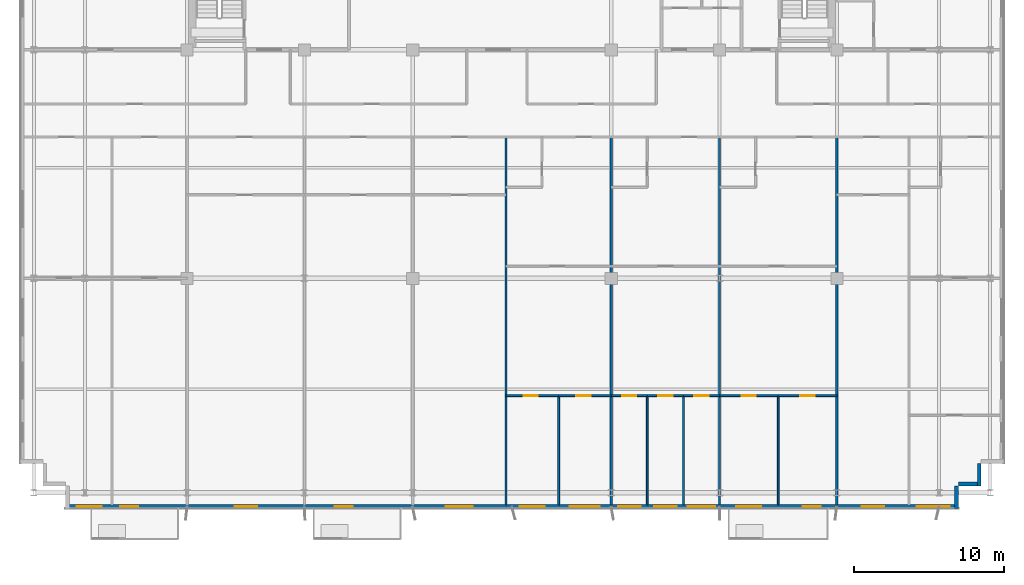
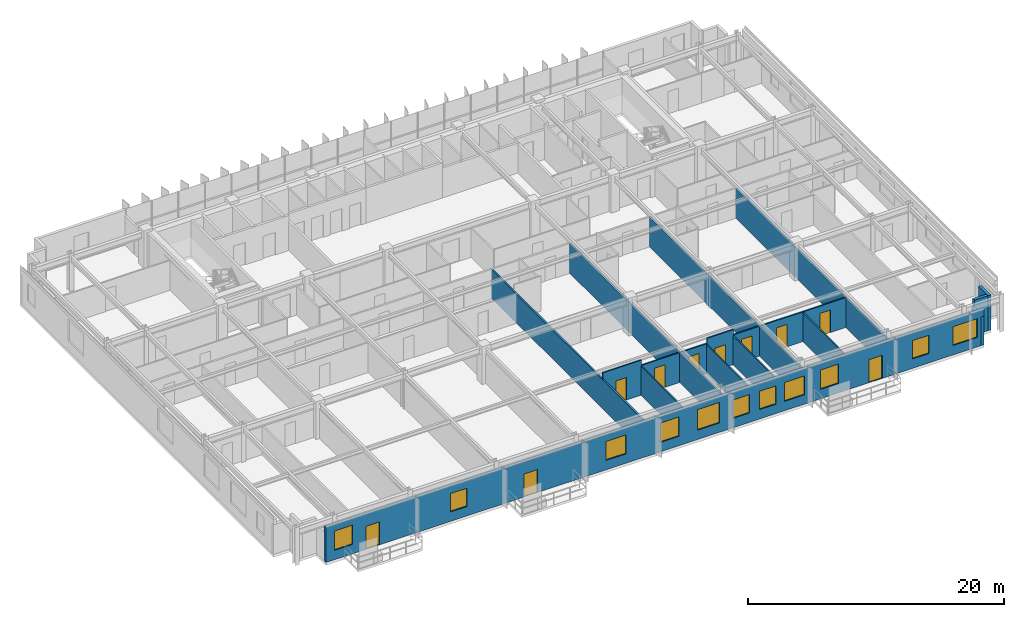
# One storey, part 15 of 22: 19 walls, 11 windows, 10 doors, 21 openings.
"""IFC4 building model written with IfcOpenShell, lengths in metres."""

from ifc_helpers import new_model, si_unit, direction, frame, frame_2d, origin, place, context, subcontext, project, spatial, rectangle, extrude, source, transform, mapped, material, layer, layer_set, type_object, element, fill, save


model = new_model("IFC4")

# Units and contexts
model_context = context("Model", 3, precision=1e-05, world=origin(), true_north=direction((0.0, 1.0)))
body_context = subcontext(model_context, "Body", "Model", "MODEL_VIEW")
ifc_project = project(units=[si_unit("LENGTHUNIT", "METRE"), si_unit("AREAUNIT", "SQUARE_METRE"), si_unit("VOLUMEUNIT", "CUBIC_METRE"), si_unit("PLANEANGLEUNIT", "RADIAN"), si_unit("MASSUNIT", "GRAM", prefix="KILO")], contexts=[model_context])

# Site, building, storey
site_placement = place(None, origin())
site = spatial("IfcSite", under=ifc_project, at=site_placement, CompositionType="ELEMENT")
building_placement = place(site_placement, origin())
building = spatial("IfcBuilding", under=site, at=building_placement, Name="Trelvane Seafront Commons", CompositionType="ELEMENT")
storey_placement = place(building_placement, frame((0.0, 0.0, 85.300048828125)))
storey = spatial("IfcBuildingStorey", under=building, at=storey_placement, Name="L21", CompositionType="ELEMENT", Elevation=85.300048828125)

# Walls
ifc_material_1 = material(Name="Precast concrete C40/50", Category="concrete")
ifc_layer_1 = layer(ifc_material_1, 0.260009765625, Name="ARCH-WALL-EXT260")
ifc_layer_set_1 = layer_set([ifc_layer_1], Name="Precast concrete C40/50")
wall_type_1 = type_object("IfcWallType", Name="ARCH-WALL-EXT260", PredefinedType="SOLIDWALL", material=ifc_layer_set_1)
for number, where, z_axis, x_axis, name in (
    (1, (68.27001953125, 5.89990234375, 0.0), (0.0, 0.0, 1.0), (0.0, -1.0, 0.0), "EW-L21-00386"),
    (2, (68.39990234375, 4.530029296875, 0.0), (0.0, 0.0, 1.0), (-1.0, 0.0, 0.0), "EW-L21-00387"),
):
    element("IfcWall", number, at=place(storey_placement, frame(where, z_axis=z_axis, x_axis=x_axis)), inside=storey, type_object=wall_type_1, Name=name, PredefinedType="SOLIDWALL", context=body_context, shape_type="SweptSolid", body=[
        extrude(rectangle(XDim=1.5, YDim=0.260009765625, at=frame_2d((0.75, 0.0))), origin(), (0.0, 0.0, 1.0), 3.33984375),
    ])
wall_1_placement = place(storey_placement, frame((66.77001953125, 4.39990234375, 0.0), z_axis=(0.0, 0.0, 1.0), x_axis=(0.0, -1.0, 0.0)))
element("IfcWall", 3, at=wall_1_placement, inside=storey, type_object=wall_type_1, Name="EW-L21-00388", PredefinedType="SOLIDWALL", context=body_context, shape_type="SweptSolid", body=[
    extrude(rectangle(XDim=1.5, YDim=0.260009765625, at=frame_2d((0.75, 0.0))), origin(), (0.0, 0.0, 1.0), 2.751953125),
])

# Wall, openings, doors, windows
wall_2_placement = place(storey_placement, frame((66.89990234375, 3.030029296875, 0.0), z_axis=(0.0, 0.0, 1.0), x_axis=(-1.0, 0.0, 0.0)))
wall_2 = element("IfcWall", 4, at=wall_2_placement, inside=storey, type_object=wall_type_1, Name="EW-L21-00389", PredefinedType="SOLIDWALL", context=body_context, shape_type="SweptSolid", body=[
    extrude(rectangle(XDim=59.39990234375, YDim=0.260009765625, at=frame_2d((29.699951171875, 0.0))), origin(), (0.0, 0.0, 1.0), 3.33984375),
])
opening_1_placement = place(wall_2_placement, frame((0.594970703125, 0.0, 0.89990234375)))
opening_1 = element("IfcOpeningElement", 5, at=opening_1_placement, cuts=wall_2, Name="Opening W02", PredefinedType="OPENING", context=body_context, shape_type="SweptSolid", body=[
    extrude(rectangle(XDim=2.199951171875, YDim=1.800048828125, at=frame_2d((1.10009765625, 0.89990234375))), frame((0.0, 0.139892578125, 0.0), z_axis=(0.0, -1.0, 0.0), x_axis=(1.0, 0.0, 0.0)), (0.0, 0.0, 1.0), 0.280029296875),
])
opening_2_placement = place(wall_2_placement, frame((4.949951171875, 0.0, 0.89990234375)))
opening_2 = element("IfcOpeningElement", 6, at=opening_2_placement, cuts=wall_2, Name="Opening W03", PredefinedType="OPENING", context=body_context, shape_type="SweptSolid", body=[
    extrude(rectangle(XDim=1.5, YDim=1.75, at=frame_2d((0.75, 0.875))), frame((0.0, 0.139892578125, 0.0), z_axis=(0.0, -1.0, 0.0), x_axis=(1.0, 0.0, 0.0)), (0.0, 0.0, 1.0), 0.280029296875),
])
opening_3_placement = place(wall_2_placement, frame((9.179931640625, 0.0, 0.0)))
opening_3 = element("IfcOpeningElement", 7, at=opening_3_placement, cuts=wall_2, Name="Opening BD-L21-49", PredefinedType="OPENING", context=body_context, shape_type="SweptSolid", body=[
    extrude(rectangle(XDim=1.199951171875, YDim=2.199951171875, at=frame_2d((0.60009765625, 1.10009765625))), frame((0.0, 0.139892578125, 0.0), z_axis=(0.0, -1.0, 0.0), x_axis=(1.0, 0.0, 0.0)), (0.0, 0.0, 1.0), 0.280029296875),
])
opening_4_placement = place(wall_2_placement, frame((13.125, 0.0, 0.89990234375)))
opening_4 = element("IfcOpeningElement", 8, at=opening_4_placement, cuts=wall_2, Name="Opening W07", PredefinedType="OPENING", context=body_context, shape_type="SweptSolid", body=[
    extrude(rectangle(XDim=1.64990234375, YDim=1.85009765625, at=frame_2d((0.824951171875, 0.925048828125))), frame((0.0, 0.139892578125, 0.0), z_axis=(0.0, -1.0, 0.0), x_axis=(1.0, 0.0, 0.0)), (0.0, 0.0, 1.0), 0.280029296875),
])
opening_5_placement = place(wall_2_placement, frame((16.199951171875, 0.0, 0.89990234375)))
opening_5 = element("IfcOpeningElement", 9, at=opening_5_placement, cuts=wall_2, Name="Opening W01", PredefinedType="OPENING", context=body_context, shape_type="SweptSolid", body=[
    extrude(rectangle(XDim=1.800048828125, YDim=1.800048828125, at=frame_2d((0.89990234375, 0.89990234375))), frame((0.0, 0.139892578125, 0.0), z_axis=(0.0, -1.0, 0.0), x_axis=(1.0, 0.0, 0.0)), (0.0, 0.0, 1.0), 0.280029296875),
])
opening_6_placement = place(wall_2_placement, frame((18.75, 0.0, 0.89990234375)))
opening_6 = element("IfcOpeningElement", 10, at=opening_6_placement, cuts=wall_2, Name="Opening W03", PredefinedType="OPENING", context=body_context, shape_type="SweptSolid", body=[
    extrude(rectangle(XDim=1.5, YDim=1.75, at=frame_2d((0.75, 0.875))), frame((0.0, 0.139892578125, 0.0), z_axis=(0.0, -1.0, 0.0), x_axis=(1.0, 0.0, 0.0)), (0.0, 0.0, 1.0), 0.280029296875),
])
opening_7_placement = place(wall_2_placement, frame((21.14990234375, 0.0, 0.89990234375)))
opening_7 = element("IfcOpeningElement", 11, at=opening_7_placement, cuts=wall_2, Name="Opening W03", PredefinedType="OPENING", context=body_context, shape_type="SweptSolid", body=[
    extrude(rectangle(XDim=1.5, YDim=1.75, at=frame_2d((0.75, 0.875))), frame((0.0, 0.139892578125, 0.0), z_axis=(0.0, -1.0, 0.0), x_axis=(1.0, 0.0, 0.0)), (0.0, 0.0, 1.0), 0.280029296875),
])
opening_8_placement = place(wall_2_placement, frame((23.85009765625, 0.0, 0.89990234375)))
opening_8 = element("IfcOpeningElement", 12, at=opening_8_placement, cuts=wall_2, Name="Opening W06", PredefinedType="OPENING", context=body_context, shape_type="SweptSolid", body=[
    extrude(rectangle(XDim=2.0, YDim=1.949951171875, at=frame_2d((1.0, 0.97509765625))), frame((0.0, 0.139892578125, 0.0), z_axis=(0.0, -1.0, 0.0), x_axis=(1.0, 0.0, 0.0)), (0.0, 0.0, 1.0), 0.280029296875),
])
opening_9_placement = place(wall_2_placement, frame((27.52490234375, 0.0, 0.89990234375)))
opening_9 = element("IfcOpeningElement", 13, at=opening_9_placement, cuts=wall_2, Name="Opening W07", PredefinedType="OPENING", context=body_context, shape_type="SweptSolid", body=[
    extrude(rectangle(XDim=1.64990234375, YDim=1.85009765625, at=frame_2d((0.824951171875, 0.925048828125))), frame((0.0, 0.139892578125, 0.0), z_axis=(0.0, -1.0, 0.0), x_axis=(1.0, 0.0, 0.0)), (0.0, 0.0, 1.0), 0.280029296875),
])
opening_10_placement = place(wall_2_placement, frame((32.300048828125, 0.0, 0.89990234375)))
opening_10 = element("IfcOpeningElement", 14, at=opening_10_placement, cuts=wall_2, Name="Opening W01", PredefinedType="OPENING", context=body_context, shape_type="SweptSolid", body=[
    extrude(rectangle(XDim=1.800048828125, YDim=1.800048828125, at=frame_2d((0.89990234375, 0.89990234375))), frame((0.0, 0.139892578125, 0.0), z_axis=(0.0, -1.0, 0.0), x_axis=(1.0, 0.0, 0.0)), (0.0, 0.0, 1.0), 0.280029296875),
])
opening_11_placement = place(wall_2_placement, frame((40.301025390625, 0.0, 0.0)))
opening_11 = element("IfcOpeningElement", 15, at=opening_11_placement, cuts=wall_2, Name="Opening BD-L21-50", PredefinedType="OPENING", context=body_context, shape_type="SweptSolid", body=[
    extrude(rectangle(XDim=1.199951171875, YDim=2.199951171875, at=frame_2d((0.60009765625, 1.10009765625))), frame((0.0, 0.139892578125, 0.0), z_axis=(0.0, -1.0, 0.0), x_axis=(1.0, 0.0, 0.0)), (0.0, 0.0, 1.0), 0.280029296875),
])
opening_12_placement = place(wall_2_placement, frame((46.64990234375, 0.0, 0.89990234375)))
opening_12 = element("IfcOpeningElement", 16, at=opening_12_placement, cuts=wall_2, Name="Opening W03", PredefinedType="OPENING", context=body_context, shape_type="SweptSolid", body=[
    extrude(rectangle(XDim=1.5, YDim=1.75, at=frame_2d((0.75, 0.875))), frame((0.0, 0.139892578125, 0.0), z_axis=(0.0, -1.0, 0.0), x_axis=(1.0, 0.0, 0.0)), (0.0, 0.0, 1.0), 0.280029296875),
])
opening_13_placement = place(wall_2_placement, frame((54.55810546875, 0.0, 0.0)))
opening_13 = element("IfcOpeningElement", 17, at=opening_13_placement, cuts=wall_2, Name="Opening BD-L21-51", PredefinedType="OPENING", context=body_context, shape_type="SweptSolid", body=[
    extrude(rectangle(XDim=1.199951171875, YDim=2.199951171875, at=frame_2d((0.60009765625, 1.10009765625))), frame((0.0, 0.139892578125, 0.0), z_axis=(0.0, -1.0, 0.0), x_axis=(1.0, 0.0, 0.0)), (0.0, 0.0, 1.0), 0.280029296875),
])
opening_14_placement = place(wall_2_placement, frame((56.97998046875, 0.0, 0.89990234375)))
opening_14 = element("IfcOpeningElement", 18, at=opening_14_placement, cuts=wall_2, Name="Opening W07", PredefinedType="OPENING", context=body_context, shape_type="SweptSolid", body=[
    extrude(rectangle(XDim=1.64990234375, YDim=1.85009765625, at=frame_2d((0.824951171875, 0.925048828125))), frame((0.0, 0.139892578125, 0.0), z_axis=(0.0, -1.0, 0.0), x_axis=(1.0, 0.0, 0.0)), (0.0, 0.0, 1.0), 0.280029296875),
])
ifc_material_2 = material(Name="Powder-coated aluminium frame", Category="aluminium")
door_type_1 = type_object("IfcDoorType", Name="ARCH-DR-BAL1200", OperationType="NOTDEFINED", PredefinedType="DOOR", material=ifc_material_2)
shared_shape_1 = source(origin(), body_context, "Body", "SweptSolid", [
    extrude(rectangle(XDim=1.199951171875, YDim=2.199951171875, at=frame_2d((0.60009765625, 1.10009765625))), frame((0.0, 0.02490234375, 0.0), z_axis=(0.0, -1.0, 0.0), x_axis=(1.0, 0.0, 0.0)), (0.0, 0.0, 1.0), 0.050048828125),
])
door_1_placement = place(opening_3_placement, origin())
door_1 = element("IfcDoor", 19, at=door_1_placement, inside=storey, type_object=door_type_1, Name="L21 Balcony Terrace Access Door", OperationType="SINGLE_SWING_LEFT", OverallHeight=2.199951171875, OverallWidth=1.199951171875, PredefinedType="DOOR", context=body_context, shape_type="MappedRepresentation", body=[
    mapped(shared_shape_1, transform((0.0, 0.0, 0.0), x_axis=(1.0, 0.0, 0.0), y_axis=(0.0, 1.0, 0.0), z_axis=(0.0, 0.0, 1.0), scale=1.0)),
])
fill(opening_3, door_1)
door_2_placement = place(opening_11_placement, origin())
door_2 = element("IfcDoor", 20, at=door_2_placement, inside=storey, type_object=door_type_1, Name="L21 Balcony Terrace Access Door", OperationType="SINGLE_SWING_LEFT", OverallHeight=2.199951171875, OverallWidth=1.199951171875, PredefinedType="DOOR", context=body_context, shape_type="MappedRepresentation", body=[
    mapped(shared_shape_1, transform((0.0, 0.0, 0.0), x_axis=(1.0, 0.0, 0.0), y_axis=(0.0, 1.0, 0.0), z_axis=(0.0, 0.0, 1.0), scale=1.0)),
])
fill(opening_11, door_2)
door_3_placement = place(opening_13_placement, origin())
door_3 = element("IfcDoor", 21, at=door_3_placement, inside=storey, type_object=door_type_1, Name="L21 Balcony Terrace Access Door", OperationType="SINGLE_SWING_LEFT", OverallHeight=2.199951171875, OverallWidth=1.199951171875, PredefinedType="DOOR", context=body_context, shape_type="MappedRepresentation", body=[
    mapped(shared_shape_1, transform((0.0, 0.0, 0.0), x_axis=(1.0, 0.0, 0.0), y_axis=(0.0, 1.0, 0.0), z_axis=(0.0, 0.0, 1.0), scale=1.0)),
])
fill(opening_13, door_3)
ifc_material_3 = material(Name="Low-E coastal double glazing", Category="glass")
window_type_1 = type_object("IfcWindowType", Name="ARCH-WIN-W02", PartitioningType="SINGLE_PANEL", PredefinedType="WINDOW", material=ifc_material_3)
shared_shape_2 = source(origin(), body_context, "Body", "SweptSolid", [
    extrude(rectangle(XDim=2.199951171875, YDim=1.800048828125, at=frame_2d((1.10009765625, 0.89990234375))), frame((0.0, 0.030029296875, 0.0), z_axis=(0.0, -1.0, 0.0), x_axis=(1.0, 0.0, 0.0)), (0.0, 0.0, 1.0), 0.06005859375),
])
window_1_placement = place(opening_1_placement, origin())
window_1 = element("IfcWindow", 22, at=window_1_placement, inside=storey, type_object=window_type_1, Name="WIN-L21-00438", OverallHeight=1.800048828125, OverallWidth=2.199951171875, PartitioningType="SINGLE_PANEL", PredefinedType="WINDOW", context=body_context, shape_type="MappedRepresentation", body=[
    mapped(shared_shape_2, transform((0.0, 0.0, 0.0), x_axis=(1.0, 0.0, 0.0), y_axis=(0.0, 1.0, 0.0), z_axis=(0.0, 0.0, 1.0), scale=1.0)),
])
fill(opening_1, window_1)
window_type_2 = type_object("IfcWindowType", Name="ARCH-WIN-W03", PartitioningType="SINGLE_PANEL", PredefinedType="WINDOW", material=ifc_material_3)
shared_shape_3 = source(origin(), body_context, "Body", "SweptSolid", [
    extrude(rectangle(XDim=1.5, YDim=1.75, at=frame_2d((0.75, 0.875))), frame((0.0, 0.030029296875, 0.0), z_axis=(0.0, -1.0, 0.0), x_axis=(1.0, 0.0, 0.0)), (0.0, 0.0, 1.0), 0.06005859375),
])
window_2_placement = place(opening_2_placement, origin())
window_2 = element("IfcWindow", 23, at=window_2_placement, inside=storey, type_object=window_type_2, Name="WIN-L21-00439", OverallHeight=1.75, OverallWidth=1.5, PartitioningType="SINGLE_PANEL", PredefinedType="WINDOW", context=body_context, shape_type="MappedRepresentation", body=[
    mapped(shared_shape_3, transform((0.0, 0.0, 0.0), x_axis=(1.0, 0.0, 0.0), y_axis=(0.0, 1.0, 0.0), z_axis=(0.0, 0.0, 1.0), scale=1.0)),
])
fill(opening_2, window_2)
window_3_placement = place(opening_6_placement, origin())
window_3 = element("IfcWindow", 24, at=window_3_placement, inside=storey, type_object=window_type_2, Name="WIN-L21-00442", OverallHeight=1.75, OverallWidth=1.5, PartitioningType="SINGLE_PANEL", PredefinedType="WINDOW", context=body_context, shape_type="MappedRepresentation", body=[
    mapped(shared_shape_3, transform((0.0, 0.0, 0.0), x_axis=(1.0, 0.0, 0.0), y_axis=(0.0, 1.0, 0.0), z_axis=(0.0, 0.0, 1.0), scale=1.0)),
])
fill(opening_6, window_3)
window_4_placement = place(opening_7_placement, origin())
window_4 = element("IfcWindow", 25, at=window_4_placement, inside=storey, type_object=window_type_2, Name="WIN-L21-00443", OverallHeight=1.75, OverallWidth=1.5, PartitioningType="SINGLE_PANEL", PredefinedType="WINDOW", context=body_context, shape_type="MappedRepresentation", body=[
    mapped(shared_shape_3, transform((0.0, 0.0, 0.0), x_axis=(1.0, 0.0, 0.0), y_axis=(0.0, 1.0, 0.0), z_axis=(0.0, 0.0, 1.0), scale=1.0)),
])
fill(opening_7, window_4)
window_5_placement = place(opening_12_placement, origin())
window_5 = element("IfcWindow", 26, at=window_5_placement, inside=storey, type_object=window_type_2, Name="WIN-L21-00447", OverallHeight=1.75, OverallWidth=1.5, PartitioningType="SINGLE_PANEL", PredefinedType="WINDOW", context=body_context, shape_type="MappedRepresentation", body=[
    mapped(shared_shape_3, transform((0.0, 0.0, 0.0), x_axis=(1.0, 0.0, 0.0), y_axis=(0.0, 1.0, 0.0), z_axis=(0.0, 0.0, 1.0), scale=1.0)),
])
fill(opening_12, window_5)
window_type_3 = type_object("IfcWindowType", Name="ARCH-WIN-W06", PartitioningType="SINGLE_PANEL", PredefinedType="WINDOW", material=ifc_material_3)
shared_shape_4 = source(origin(), body_context, "Body", "SweptSolid", [
    extrude(rectangle(XDim=2.0, YDim=1.949951171875, at=frame_2d((1.0, 0.97509765625))), frame((0.0, 0.030029296875, 0.0), z_axis=(0.0, -1.0, 0.0), x_axis=(1.0, 0.0, 0.0)), (0.0, 0.0, 1.0), 0.06005859375),
])
window_6_placement = place(opening_8_placement, origin())
window_6 = element("IfcWindow", 27, at=window_6_placement, inside=storey, type_object=window_type_3, Name="WIN-L21-00444", OverallHeight=1.949951171875, OverallWidth=2.0, PartitioningType="SINGLE_PANEL", PredefinedType="WINDOW", context=body_context, shape_type="MappedRepresentation", body=[
    mapped(shared_shape_4, transform((0.0, 0.0, 0.0), x_axis=(1.0, 0.0, 0.0), y_axis=(0.0, 1.0, 0.0), z_axis=(0.0, 0.0, 1.0), scale=1.0)),
])
fill(opening_8, window_6)
window_type_4 = type_object("IfcWindowType", Name="ARCH-WIN-W01", PartitioningType="SINGLE_PANEL", PredefinedType="WINDOW", material=ifc_material_3)
shared_shape_5 = source(origin(), body_context, "Body", "SweptSolid", [
    extrude(rectangle(XDim=1.800048828125, YDim=1.800048828125, at=frame_2d((0.89990234375, 0.89990234375))), frame((0.0, 0.030029296875, 0.0), z_axis=(0.0, -1.0, 0.0), x_axis=(1.0, 0.0, 0.0)), (0.0, 0.0, 1.0), 0.06005859375),
])
window_7_placement = place(opening_5_placement, origin())
window_7 = element("IfcWindow", 28, at=window_7_placement, inside=storey, type_object=window_type_4, Name="WIN-L21-00441", OverallHeight=1.800048828125, OverallWidth=1.800048828125, PartitioningType="SINGLE_PANEL", PredefinedType="WINDOW", context=body_context, shape_type="MappedRepresentation", body=[
    mapped(shared_shape_5, transform((0.0, 0.0, 0.0), x_axis=(1.0, 0.0, 0.0), y_axis=(0.0, 1.0, 0.0), z_axis=(0.0, 0.0, 1.0), scale=1.0)),
])
fill(opening_5, window_7)
window_8_placement = place(opening_10_placement, origin())
window_8 = element("IfcWindow", 29, at=window_8_placement, inside=storey, type_object=window_type_4, Name="WIN-L21-00446", OverallHeight=1.800048828125, OverallWidth=1.800048828125, PartitioningType="SINGLE_PANEL", PredefinedType="WINDOW", context=body_context, shape_type="MappedRepresentation", body=[
    mapped(shared_shape_5, transform((0.0, 0.0, 0.0), x_axis=(1.0, 0.0, 0.0), y_axis=(0.0, 1.0, 0.0), z_axis=(0.0, 0.0, 1.0), scale=1.0)),
])
fill(opening_10, window_8)
window_type_5 = type_object("IfcWindowType", Name="ARCH-WIN-W07", PartitioningType="SINGLE_PANEL", PredefinedType="WINDOW", material=ifc_material_3)
shared_shape_6 = source(origin(), body_context, "Body", "SweptSolid", [
    extrude(rectangle(XDim=1.64990234375, YDim=1.85009765625, at=frame_2d((0.824951171875, 0.925048828125))), frame((0.0, 0.030029296875, 0.0), z_axis=(0.0, -1.0, 0.0), x_axis=(1.0, 0.0, 0.0)), (0.0, 0.0, 1.0), 0.06005859375),
])
window_9_placement = place(opening_4_placement, origin())
window_9 = element("IfcWindow", 30, at=window_9_placement, inside=storey, type_object=window_type_5, Name="WIN-L21-00440", OverallHeight=1.85009765625, OverallWidth=1.64990234375, PartitioningType="SINGLE_PANEL", PredefinedType="WINDOW", context=body_context, shape_type="MappedRepresentation", body=[
    mapped(shared_shape_6, transform((0.0, 0.0, 0.0), x_axis=(1.0, 0.0, 0.0), y_axis=(0.0, 1.0, 0.0), z_axis=(0.0, 0.0, 1.0), scale=1.0)),
])
fill(opening_4, window_9)
window_10_placement = place(opening_9_placement, origin())
window_10 = element("IfcWindow", 31, at=window_10_placement, inside=storey, type_object=window_type_5, Name="WIN-L21-00445", OverallHeight=1.85009765625, OverallWidth=1.64990234375, PartitioningType="SINGLE_PANEL", PredefinedType="WINDOW", context=body_context, shape_type="MappedRepresentation", body=[
    mapped(shared_shape_6, transform((0.0, 0.0, 0.0), x_axis=(1.0, 0.0, 0.0), y_axis=(0.0, 1.0, 0.0), z_axis=(0.0, 0.0, 1.0), scale=1.0)),
])
fill(opening_9, window_10)
window_11_placement = place(opening_14_placement, origin())
window_11 = element("IfcWindow", 32, at=window_11_placement, inside=storey, type_object=window_type_5, Name="WIN-L21-00448", OverallHeight=1.85009765625, OverallWidth=1.64990234375, PartitioningType="SINGLE_PANEL", PredefinedType="WINDOW", context=body_context, shape_type="MappedRepresentation", body=[
    mapped(shared_shape_6, transform((0.0, 0.0, 0.0), x_axis=(1.0, 0.0, 0.0), y_axis=(0.0, 1.0, 0.0), z_axis=(0.0, 0.0, 1.0), scale=1.0)),
])
fill(opening_14, window_11)

# Wall, opening, door
ifc_material_4 = material(Name="Gypsum Drywall Acoustic Partition")
ifc_layer_2 = layer(ifc_material_4, 0.1201171875, Name="ARCH-WALL-PART120")
ifc_layer_set_2 = layer_set([ifc_layer_2], Name="Gypsum Drywall Acoustic Partition")
wall_type_2 = type_object("IfcWallType", Name="ARCH-WALL-PART120", PredefinedType="PARTITIONING", material=ifc_layer_set_2)
wall_3_placement = place(storey_placement, frame((36.800048828125, 10.39990234375, 0.0), z_axis=(0.0, 0.0, 1.0), x_axis=(1.0, 0.0, 0.0)))
wall_3 = element("IfcWall", 33, at=wall_3_placement, inside=storey, type_object=wall_type_2, Name="W-L21-U6-YM-1-083", PredefinedType="PARTITIONING", context=body_context, shape_type="SweptSolid", body=[
    extrude(rectangle(XDim=3.5, YDim=0.1201171875, at=frame_2d((1.75, 0.0))), origin(), (0.0, 0.0, 1.0), 3.33984375),
])
opening_15_placement = place(wall_3_placement, frame((1.176025390625, 0.0, 0.0)))
opening_15 = element("IfcOpeningElement", 34, at=opening_15_placement, cuts=wall_3, Name="Opening D-L21-45", PredefinedType="OPENING", context=body_context, shape_type="SweptSolid", body=[
    extrude(rectangle(XDim=0.949951171875, YDim=2.14990234375, at=frame_2d((0.47509765625, 1.074951171875))), frame((0.0, 0.070068359375, 0.0), z_axis=(0.0, -1.0, 0.0), x_axis=(1.0, 0.0, 0.0)), (0.0, 0.0, 1.0), 0.14013671875),
])
ifc_material_5 = material(Name="Acoustic timber door leaf", Category="wood")
door_type_2 = type_object("IfcDoorType", Name="ARCH-DR-INT950", OperationType="NOTDEFINED", PredefinedType="DOOR", material=ifc_material_5)
shared_shape_7 = source(origin(), body_context, "Body", "SweptSolid", [
    extrude(rectangle(XDim=0.949951171875, YDim=2.14990234375, at=frame_2d((0.47509765625, 1.074951171875))), frame((0.0, 0.02490234375, 0.0), z_axis=(0.0, -1.0, 0.0), x_axis=(1.0, 0.0, 0.0)), (0.0, 0.0, 1.0), 0.050048828125),
])
door_4_placement = place(opening_15_placement, origin())
door_4 = element("IfcDoor", 35, at=door_4_placement, inside=storey, type_object=door_type_2, Name="L21 Door 45", OperationType="SINGLE_SWING_LEFT", OverallHeight=2.14990234375, OverallWidth=0.949951171875, PredefinedType="DOOR", context=body_context, shape_type="MappedRepresentation", body=[
    mapped(shared_shape_7, transform((0.0, 0.0, 0.0), x_axis=(1.0, 0.0, 0.0), y_axis=(0.0, 1.0, 0.0), z_axis=(0.0, 0.0, 1.0), scale=1.0)),
])
fill(opening_15, door_4)

wall_4_placement = place(storey_placement, frame((40.300048828125, 10.39990234375, 0.0), z_axis=(0.0, 0.0, 1.0), x_axis=(1.0, 0.0, 0.0)))
wall_4 = element("IfcWall", 36, at=wall_4_placement, inside=storey, type_object=wall_type_2, Name="W-L21-U6-YM-2-084", PredefinedType="PARTITIONING", context=body_context, shape_type="SweptSolid", body=[
    extrude(rectangle(XDim=3.5, YDim=0.1201171875, at=frame_2d((1.75, 0.0))), origin(), (0.0, 0.0, 1.0), 2.83984375),
])
opening_16_placement = place(wall_4_placement, frame((1.176025390625, 0.0, 0.0)))
opening_16 = element("IfcOpeningElement", 37, at=opening_16_placement, cuts=wall_4, Name="Opening D-L21-46", PredefinedType="OPENING", context=body_context, shape_type="SweptSolid", body=[
    extrude(rectangle(XDim=0.949951171875, YDim=2.14990234375, at=frame_2d((0.47509765625, 1.074951171875))), frame((0.0, 0.070068359375, 0.0), z_axis=(0.0, -1.0, 0.0), x_axis=(1.0, 0.0, 0.0)), (0.0, 0.0, 1.0), 0.14013671875),
])
door_5_placement = place(opening_16_placement, origin())
door_5 = element("IfcDoor", 38, at=door_5_placement, inside=storey, type_object=door_type_2, Name="L21 Door 46", OperationType="SINGLE_SWING_RIGHT", OverallHeight=2.14990234375, OverallWidth=0.949951171875, PredefinedType="DOOR", context=body_context, shape_type="MappedRepresentation", body=[
    mapped(shared_shape_7, transform((0.0, 0.0, 0.0), x_axis=(1.0, 0.0, 0.0), y_axis=(0.0, 1.0, 0.0), z_axis=(0.0, 0.0, 1.0), scale=1.0)),
])
fill(opening_16, door_5)

# Wall
wall_5_placement = place(storey_placement, frame((40.300048828125, 3.14501953125, 0.0), z_axis=(0.0, 0.0, 1.0), x_axis=(0.0, 1.0, 0.0)))
element("IfcWall", 39, at=wall_5_placement, inside=storey, type_object=wall_type_2, Name="W-L21-U6-BDV-1-085", PredefinedType="PARTITIONING", context=body_context, shape_type="SweptSolid", body=[
    extrude(rectangle(XDim=7.2548828125, YDim=0.1201171875, at=frame_2d((3.62744140625, 0.0))), origin(), (0.0, 0.0, 1.0), 2.751953125),
])

# Wall, opening, door
wall_6_placement = place(storey_placement, frame((43.800048828125, 10.39990234375, 0.0), z_axis=(0.0, 0.0, 1.0), x_axis=(1.0, 0.0, 0.0)))
wall_6 = element("IfcWall", 40, at=wall_6_placement, inside=storey, type_object=wall_type_2, Name="W-L21-U7-YM-1-090", PredefinedType="PARTITIONING", context=body_context, shape_type="SweptSolid", body=[
    extrude(rectangle(XDim=2.39990234375, YDim=0.1201171875, at=frame_2d((1.199951171875, 0.0))), origin(), (0.0, 0.0, 1.0), 2.83984375),
])
opening_17_placement = place(wall_6_placement, frame((0.72509765625, 0.0, 0.0)))
opening_17 = element("IfcOpeningElement", 41, at=opening_17_placement, cuts=wall_6, Name="Opening D-L21-50", PredefinedType="OPENING", context=body_context, shape_type="SweptSolid", body=[
    extrude(rectangle(XDim=0.949951171875, YDim=2.14990234375, at=frame_2d((0.47509765625, 1.074951171875))), frame((0.0, 0.070068359375, 0.0), z_axis=(0.0, -1.0, 0.0), x_axis=(1.0, 0.0, 0.0)), (0.0, 0.0, 1.0), 0.14013671875),
])
door_6_placement = place(opening_17_placement, origin())
door_6 = element("IfcDoor", 42, at=door_6_placement, inside=storey, type_object=door_type_2, Name="L21 Door 50", OperationType="SINGLE_SWING_RIGHT", OverallHeight=2.14990234375, OverallWidth=0.949951171875, PredefinedType="DOOR", context=body_context, shape_type="MappedRepresentation", body=[
    mapped(shared_shape_7, transform((0.0, 0.0, 0.0), x_axis=(1.0, 0.0, 0.0), y_axis=(0.0, 1.0, 0.0), z_axis=(0.0, 0.0, 1.0), scale=1.0)),
])
fill(opening_17, door_6)

wall_7_placement = place(storey_placement, frame((46.199951171875, 10.39990234375, 0.0), z_axis=(0.0, 0.0, 1.0), x_axis=(1.0, 0.0, 0.0)))
wall_7 = element("IfcWall", 43, at=wall_7_placement, inside=storey, type_object=wall_type_2, Name="W-L21-U7-YM-2-091", PredefinedType="PARTITIONING", context=body_context, shape_type="SweptSolid", body=[
    extrude(rectangle(XDim=2.400146484375, YDim=0.1201171875, at=frame_2d((1.2001953125, 0.0))), origin(), (0.0, 0.0, 1.0), 3.33984375),
])
opening_18_placement = place(wall_7_placement, frame((0.72509765625, 0.0, 0.0)))
opening_18 = element("IfcOpeningElement", 44, at=opening_18_placement, cuts=wall_7, Name="Opening D-L21-51", PredefinedType="OPENING", context=body_context, shape_type="SweptSolid", body=[
    extrude(rectangle(XDim=0.949951171875, YDim=2.14990234375, at=frame_2d((0.47509765625, 1.074951171875))), frame((0.0, 0.070068359375, 0.0), z_axis=(0.0, -1.0, 0.0), x_axis=(1.0, 0.0, 0.0)), (0.0, 0.0, 1.0), 0.14013671875),
])
door_7_placement = place(opening_18_placement, origin())
door_7 = element("IfcDoor", 45, at=door_7_placement, inside=storey, type_object=door_type_2, Name="L21 Door 51", OperationType="SINGLE_SWING_LEFT", OverallHeight=2.14990234375, OverallWidth=0.949951171875, PredefinedType="DOOR", context=body_context, shape_type="MappedRepresentation", body=[
    mapped(shared_shape_7, transform((0.0, 0.0, 0.0), x_axis=(1.0, 0.0, 0.0), y_axis=(0.0, 1.0, 0.0), z_axis=(0.0, 0.0, 1.0), scale=1.0)),
])
fill(opening_18, door_7)

# Wall
wall_8_placement = place(storey_placement, frame((46.199951171875, 3.14501953125, 0.0), z_axis=(0.0, 0.0, 1.0), x_axis=(0.0, 1.0, 0.0)))
element("IfcWall", 46, at=wall_8_placement, inside=storey, type_object=wall_type_2, Name="W-L21-U7-BDV-1-092", PredefinedType="PARTITIONING", context=body_context, shape_type="SweptSolid", body=[
    extrude(rectangle(XDim=7.2548828125, YDim=0.1201171875, at=frame_2d((3.62744140625, 0.0))), origin(), (0.0, 0.0, 1.0), 2.751953125),
])

# Wall, opening, door
wall_9_placement = place(storey_placement, frame((48.60009765625, 10.39990234375, 0.0), z_axis=(0.0, 0.0, 1.0), x_axis=(1.0, 0.0, 0.0)))
wall_9 = element("IfcWall", 47, at=wall_9_placement, inside=storey, type_object=wall_type_2, Name="W-L21-U7-YM-3-093", PredefinedType="PARTITIONING", context=body_context, shape_type="SweptSolid", body=[
    extrude(rectangle(XDim=2.39990234375, YDim=0.1201171875, at=frame_2d((1.199951171875, 0.0))), origin(), (0.0, 0.0, 1.0), 2.83984375),
])
opening_19_placement = place(wall_9_placement, frame((0.72509765625, 0.0, 0.0)))
opening_19 = element("IfcOpeningElement", 48, at=opening_19_placement, cuts=wall_9, Name="Opening D-L21-52", PredefinedType="OPENING", context=body_context, shape_type="SweptSolid", body=[
    extrude(rectangle(XDim=0.949951171875, YDim=2.14990234375, at=frame_2d((0.47509765625, 1.074951171875))), frame((0.0, 0.070068359375, 0.0), z_axis=(0.0, -1.0, 0.0), x_axis=(1.0, 0.0, 0.0)), (0.0, 0.0, 1.0), 0.14013671875),
])
door_8_placement = place(opening_19_placement, origin())
door_8 = element("IfcDoor", 49, at=door_8_placement, inside=storey, type_object=door_type_2, Name="L21 Door 52", OperationType="SINGLE_SWING_RIGHT", OverallHeight=2.14990234375, OverallWidth=0.949951171875, PredefinedType="DOOR", context=body_context, shape_type="MappedRepresentation", body=[
    mapped(shared_shape_7, transform((0.0, 0.0, 0.0), x_axis=(1.0, 0.0, 0.0), y_axis=(0.0, 1.0, 0.0), z_axis=(0.0, 0.0, 1.0), scale=1.0)),
])
fill(opening_19, door_8)

# Wall
wall_10_placement = place(storey_placement, frame((48.60009765625, 3.14501953125, 0.0), z_axis=(0.0, 0.0, 1.0), x_axis=(0.0, 1.0, 0.0)))
element("IfcWall", 50, at=wall_10_placement, inside=storey, type_object=wall_type_2, Name="W-L21-U7-BDV-2-094", PredefinedType="PARTITIONING", context=body_context, shape_type="SweptSolid", body=[
    extrude(rectangle(XDim=7.2548828125, YDim=0.1201171875, at=frame_2d((3.62744140625, 0.0))), origin(), (0.0, 0.0, 1.0), 2.751953125),
])

# Wall, opening, door
wall_11_placement = place(storey_placement, frame((51.0, 10.39990234375, 0.0), z_axis=(0.0, 0.0, 1.0), x_axis=(1.0, 0.0, 0.0)))
wall_11 = element("IfcWall", 51, at=wall_11_placement, inside=storey, type_object=wall_type_2, Name="W-L21-U8-YM-1-099", PredefinedType="PARTITIONING", context=body_context, shape_type="SweptSolid", body=[
    extrude(rectangle(XDim=3.89990234375, YDim=0.1201171875, at=frame_2d((1.949951171875, 0.0))), origin(), (0.0, 0.0, 1.0), 2.83984375),
])
opening_20_placement = place(wall_11_placement, frame((1.47509765625, 0.0, 0.0)))
opening_20 = element("IfcOpeningElement", 52, at=opening_20_placement, cuts=wall_11, Name="Opening D-L21-56", PredefinedType="OPENING", context=body_context, shape_type="SweptSolid", body=[
    extrude(rectangle(XDim=0.949951171875, YDim=2.14990234375, at=frame_2d((0.47509765625, 1.074951171875))), frame((0.0, 0.070068359375, 0.0), z_axis=(0.0, -1.0, 0.0), x_axis=(1.0, 0.0, 0.0)), (0.0, 0.0, 1.0), 0.14013671875),
])
door_9_placement = place(opening_20_placement, origin())
door_9 = element("IfcDoor", 53, at=door_9_placement, inside=storey, type_object=door_type_2, Name="L21 Door 56", OperationType="SINGLE_SWING_RIGHT", OverallHeight=2.14990234375, OverallWidth=0.949951171875, PredefinedType="DOOR", context=body_context, shape_type="MappedRepresentation", body=[
    mapped(shared_shape_7, transform((0.0, 0.0, 0.0), x_axis=(1.0, 0.0, 0.0), y_axis=(0.0, 1.0, 0.0), z_axis=(0.0, 0.0, 1.0), scale=1.0)),
])
fill(opening_20, door_9)

wall_12_placement = place(storey_placement, frame((54.89990234375, 10.39990234375, 0.0), z_axis=(0.0, 0.0, 1.0), x_axis=(1.0, 0.0, 0.0)))
wall_12 = element("IfcWall", 54, at=wall_12_placement, inside=storey, type_object=wall_type_2, Name="W-L21-U8-YM-2-100", PredefinedType="PARTITIONING", context=body_context, shape_type="SweptSolid", body=[
    extrude(rectangle(XDim=3.900146484375, YDim=0.1201171875, at=frame_2d((1.9501953125, 0.0))), origin(), (0.0, 0.0, 1.0), 2.83984375),
])
opening_21_placement = place(wall_12_placement, frame((1.47509765625, 0.0, 0.0)))
opening_21 = element("IfcOpeningElement", 55, at=opening_21_placement, cuts=wall_12, Name="Opening D-L21-57", PredefinedType="OPENING", context=body_context, shape_type="SweptSolid", body=[
    extrude(rectangle(XDim=0.949951171875, YDim=2.14990234375, at=frame_2d((0.47509765625, 1.074951171875))), frame((0.0, 0.070068359375, 0.0), z_axis=(0.0, -1.0, 0.0), x_axis=(1.0, 0.0, 0.0)), (0.0, 0.0, 1.0), 0.14013671875),
])
door_10_placement = place(opening_21_placement, origin())
door_10 = element("IfcDoor", 56, at=door_10_placement, inside=storey, type_object=door_type_2, Name="L21 Door 57", OperationType="SINGLE_SWING_LEFT", OverallHeight=2.14990234375, OverallWidth=0.949951171875, PredefinedType="DOOR", context=body_context, shape_type="MappedRepresentation", body=[
    mapped(shared_shape_7, transform((0.0, 0.0, 0.0), x_axis=(1.0, 0.0, 0.0), y_axis=(0.0, 1.0, 0.0), z_axis=(0.0, 0.0, 1.0), scale=1.0)),
])
fill(opening_21, door_10)

# Walls
wall_13_placement = place(storey_placement, frame((54.89990234375, 3.14501953125, 0.0), z_axis=(0.0, 0.0, 1.0), x_axis=(0.0, 1.0, 0.0)))
element("IfcWall", 57, at=wall_13_placement, inside=storey, type_object=wall_type_2, Name="W-L21-U8-BDV-1-101", PredefinedType="PARTITIONING", context=body_context, shape_type="SweptSolid", body=[
    extrude(rectangle(XDim=7.2548828125, YDim=0.1201171875, at=frame_2d((3.62744140625, 0.0))), origin(), (0.0, 0.0, 1.0), 2.751953125),
])
ifc_layer_3 = layer(ifc_material_4, 0.14990234375, Name="ARCH-WALL-PART150")
ifc_layer_set_3 = layer_set([ifc_layer_3], Name="Gypsum Drywall Acoustic Partition")
wall_type_3 = type_object("IfcWallType", Name="ARCH-WALL-PART150", PredefinedType="PARTITIONING", material=ifc_layer_set_3)
wall_14_placement = place(storey_placement, frame((36.800048828125, 3.14501953125, 0.0), z_axis=(0.0, 0.0, 1.0), x_axis=(0.0, 1.0, 0.0)))
element("IfcWall", 58, at=wall_14_placement, inside=storey, type_object=wall_type_3, Name="W-L21-PW-5-064", PredefinedType="PARTITIONING", context=body_context, shape_type="SweptSolid", body=[
    extrude(rectangle(XDim=24.455078125, YDim=0.14990234375, at=frame_2d((12.2275390625, 0.0))), origin(), (0.0, 0.0, 1.0), 2.751953125),
])
for number, where, z_axis, x_axis, name in (
    (59, (43.800048828125, 3.14501953125, 0.0), (0.0, 0.0, 1.0), (0.0, 1.0, 0.0), "W-L21-PW-6-065"),
    (60, (51.0, 3.14501953125, 0.0), (0.0, 0.0, 1.0), (0.0, 1.0, 0.0), "W-L21-PW-7-066"),
    (61, (58.800048828125, 3.14501953125, 0.0), (0.0, 0.0, 1.0), (0.0, 1.0, 0.0), "W-L21-PW-8-067"),
):
    element("IfcWall", number, at=place(storey_placement, frame(where, z_axis=z_axis, x_axis=x_axis)), inside=storey, type_object=wall_type_3, Name=name, PredefinedType="PARTITIONING", context=body_context, shape_type="SweptSolid", body=[
        extrude(rectangle(XDim=24.455078125, YDim=0.14990234375, at=frame_2d((12.2275390625, 0.0))), origin(), (0.0, 0.0, 1.0), 2.83984375),
    ])

save(model, "model.ifc")
